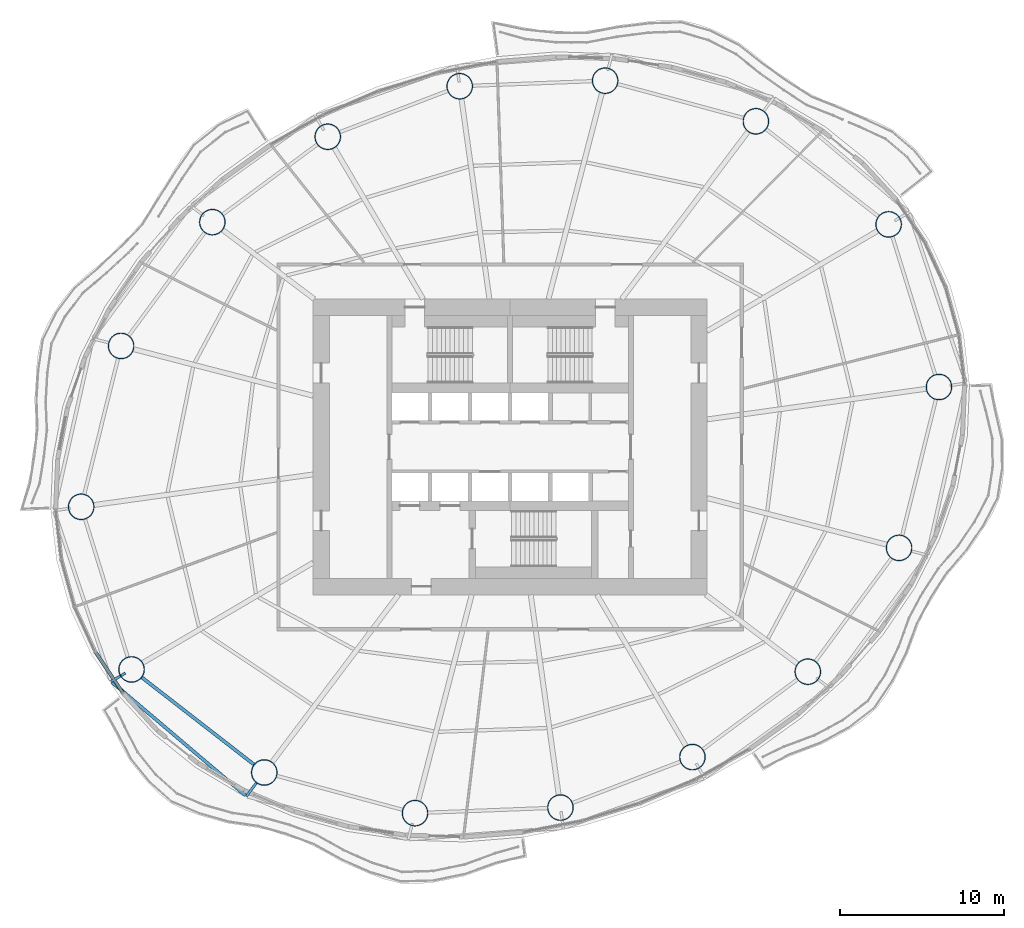
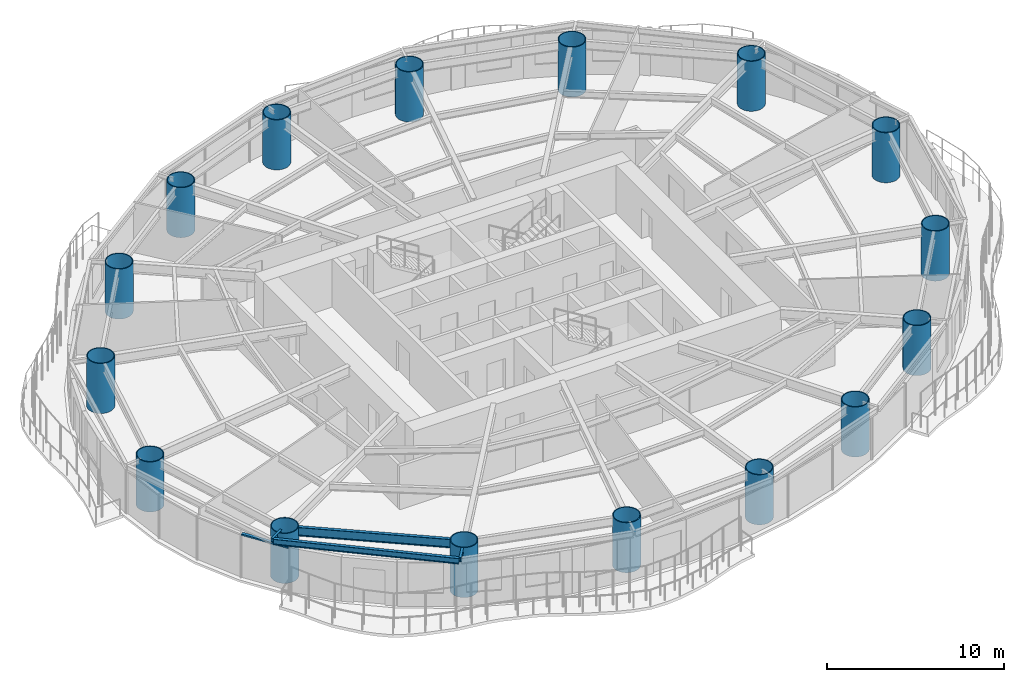
# One storey, part 1 of 16: 16 columns, 4 beams, 1 member, 1 element without a shape of its own.
"""IFC4 building model written with IfcOpenShell, lengths in metres."""

from ifc_helpers import new_model, si_unit, direction, frame, origin, origin_2d, place, context, subcontext, project, spatial, rectangle, hollow_circle, i_section, extrude, material, material_profile, profile_set, type_object, element, aggregate, save


model = new_model("IFC4")

# Units and contexts
model_context = context("Model", 3, precision=1e-05, world=origin(), true_north=direction((0.0, 1.0)))
body_context = subcontext(model_context, "Body", "Model", "MODEL_VIEW")
ifc_project = project(units=[si_unit("LENGTHUNIT", "METRE"), si_unit("AREAUNIT", "SQUARE_METRE"), si_unit("VOLUMEUNIT", "CUBIC_METRE"), si_unit("PLANEANGLEUNIT", "RADIAN"), si_unit("MASSUNIT", "GRAM", prefix="KILO")], contexts=[model_context])

# Site, building, storey
site_placement = place(None, origin())
site = spatial("IfcSite", under=ifc_project, at=site_placement, CompositionType="ELEMENT")
building_placement = place(site_placement, origin())
building = spatial("IfcBuilding", under=site, at=building_placement, Name="Vermilion Reach Broadcast Tower", CompositionType="ELEMENT")
storey_placement = place(building_placement, frame((0.0, 0.0, 113.800048828125)))
storey = spatial("IfcBuildingStorey", under=building, at=storey_placement, Name="L26", CompositionType="ELEMENT", Elevation=113.800048828125)

# Columns
ifc_material_1 = material(Name="Concrete C80 infill in steel S460NL tube", Category="concrete")
ifc_material_profile_1 = material_profile(ifc_material_1, hollow_circle(Radius=0.800048828125, WallThickness=0.054931640625, at=origin_2d()), Name="Concrete C80 infill in steel S460NL tube CFT 1600x55")
ifc_profile_set_1 = profile_set([ifc_material_profile_1], Name="Concrete C80 infill in steel S460NL tube")
column_type = type_object("IfcColumnType", Name="MC2 CFT 1600x55", PredefinedType="COLUMN", material=ifc_profile_set_1)
for number, where, z_axis, x_axis, name in (
    (1, (17.04345703125, 13.546630859375, 0.0), (0.0, 0.0, 1.0), (1.0, 0.0, 0.0), "Mega-column MC2-01"),
    (2, (8.96337890625, 19.821044921875, 0.0), (0.0, 0.0, 1.0), (1.0, 0.0, 0.0), "Mega-column MC2-02"),
    (3, (-0.21337890625, 22.29443359375, 0.0), (0.0, 0.0, 1.0), (1.0, 0.0, 0.0), "Mega-column MC2-03"),
    (4, (-9.066162109375, 21.955810546875, 0.0), (0.0, 0.0, 1.0), (1.0, 0.0, 0.0), "Mega-column MC2-04"),
    (5, (-17.099609375, 18.881103515625, 0.0), (0.0, 0.0, 1.0), (1.0, 0.0, 0.0), "Mega-column MC2-05"),
    (6, (-24.12451171875, 13.6826171875, 0.0), (0.0, 0.0, 1.0), (1.0, 0.0, 0.0), "Mega-column MC2-06"),
    (7, (-29.6787109375, 6.145751953125, 0.0), (0.0, 0.0, 1.0), (1.0, 0.0, 0.0), "Mega-column MC2-07"),
    (8, (-32.10888671875, -3.646240234375, 0.0), (0.0, 0.0, 1.0), (1.0, 0.0, 0.0), "Mega-column MC2-08"),
    (9, (-29.04345703125, -13.546630859375, 0.0), (0.0, 0.0, 1.0), (1.0, 0.0, 0.0), "Mega-column MC2-09"),
    (10, (-20.96337890625, -19.821044921875, 0.0), (0.0, 0.0, 1.0), (1.0, 0.0, 0.0), "Mega-column MC2-10"),
    (11, (-11.78662109375, -22.29443359375, 0.0), (0.0, 0.0, 1.0), (1.0, 0.0, 0.0), "Mega-column MC2-11"),
    (12, (-2.933837890625, -21.955810546875, 0.0), (0.0, 0.0, 1.0), (1.0, 0.0, 0.0), "Mega-column MC2-12"),
    (13, (5.099609375, -18.881103515625, 0.0), (0.0, 0.0, 1.0), (1.0, 0.0, 0.0), "Mega-column MC2-13"),
    (14, (12.12451171875, -13.6826171875, 0.0), (0.0, 0.0, 1.0), (1.0, 0.0, 0.0), "Mega-column MC2-14"),
    (15, (17.6787109375, -6.145751953125, 0.0), (0.0, 0.0, 1.0), (1.0, 0.0, 0.0), "Mega-column MC2-15"),
    (16, (20.10888671875, 3.646240234375, 0.0), (0.0, 0.0, 1.0), (1.0, 0.0, 0.0), "Mega-column MC2-16"),
):
    element("IfcColumn", number, at=place(storey_placement, frame(where, z_axis=z_axis, x_axis=x_axis)), inside=storey, type_object=column_type, Name=name, PredefinedType="COLUMN", context=body_context, shape_type="SweptSolid", body=[
        extrude(hollow_circle(Radius=0.800048828125, WallThickness=0.054931640625, at=origin_2d()), origin(), (0.0, 0.0, 1.0), 3.449951171875),
    ])

# Beams
ifc_material_2 = material(Name="Steel S355J2", Category="steel")
ifc_material_profile_2 = material_profile(ifc_material_2, i_section(OverallWidth=0.199951171875, OverallDepth=0.39990234375, WebThickness=0.008056640625, FlangeThickness=0.012939453125, at=origin_2d()), Name="S355J2 HN 400x200x8x13")
ifc_profile_set_2 = profile_set([ifc_material_profile_2], Name="Steel S355J2")
beam_type_1 = type_object("IfcBeamType", Name="EB2 HN 400x200x8x13", PredefinedType="BEAM", material=ifc_profile_set_2)
beam_1_placement = place(storey_placement, frame((-30.2265625, -14.3291015625, 3.25), z_axis=(0.762593135602, -0.646878434895, 0.0), x_axis=(0.646878434895, 0.762593135602, 0.0)))
element("IfcBeam", 17, at=beam_1_placement, inside=storey, type_object=beam_type_1, Name="Edge beam EB2-09", PredefinedType="BEAM", context=body_context, shape_type="SweptSolid", body=[
    extrude(i_section(OverallWidth=0.199951171875, OverallDepth=0.39990234375, WebThickness=0.008056640625, FlangeThickness=0.012939453125, at=origin_2d()), origin(), (0.0, 0.0, 1.0), 10.644287109375),
])
ifc_material_3 = material(Name="Steel S355J2", Category="steel")
ifc_material_profile_3 = material_profile(ifc_material_3, i_section(OverallWidth=0.14990234375, OverallDepth=0.300048828125, WebThickness=0.006591796875, FlangeThickness=0.009033203125, at=origin_2d()), Name="S355J2 HN 300x150x6.5x9")
ifc_profile_set_3 = profile_set([ifc_material_profile_3], Name="Steel S355J2")
beam_type_2 = type_object("IfcBeamType", Name="GS2 HN 300x150x6.5x9", PredefinedType="BEAM", material=ifc_profile_set_3)
beam_2_placement = place(storey_placement, frame((-29.425048828125, -13.77099609375, 3.300048828125), z_axis=(-0.862153821816, -0.506646610102, 0.0), x_axis=(0.506646610102, -0.862153821816, 0.0)))
element("IfcBeam", 18, at=beam_2_placement, inside=storey, type_object=beam_type_2, Name="Cantilever stub GS2-09", PredefinedType="BEAM", context=body_context, shape_type="SweptSolid", body=[
    extrude(i_section(OverallWidth=0.14990234375, OverallDepth=0.300048828125, WebThickness=0.006591796875, FlangeThickness=0.009033203125, at=origin_2d()), origin(), (0.0, 0.0, 1.0), 1.0),
])
beam_3_placement = place(storey_placement, frame((-21.4453125, -20.45947265625, 3.300048828125), z_axis=(-0.602479763852, -0.798134157989, 0.0), x_axis=(0.798134157989, -0.602479763852, 0.0)))
element("IfcBeam", 19, at=beam_3_placement, inside=storey, type_object=beam_type_2, Name="Cantilever stub GS2-10", PredefinedType="BEAM", context=body_context, shape_type="SweptSolid", body=[
    extrude(i_section(OverallWidth=0.14990234375, OverallDepth=0.300048828125, WebThickness=0.006591796875, FlangeThickness=0.009033203125, at=origin_2d()), origin(), (0.0, 0.0, 1.0), 1.007080078125),
])
ifc_material_4 = material(Name="Steel S355J2", Category="steel")
ifc_material_profile_4 = material_profile(ifc_material_4, i_section(OverallWidth=0.199951171875, OverallDepth=0.60009765625, WebThickness=0.010986328125, FlangeThickness=0.01708984375, at=origin_2d()), Name="S355J2 HN 600x200x11x17")
ifc_profile_set_4 = profile_set([ifc_material_profile_4], Name="Steel S355J2")
beam_type_3 = type_object("IfcBeamType", Name="RB2 HN 600x200x11x17", PredefinedType="BEAM", material=ifc_profile_set_4)
beam_4_placement = place(storey_placement, frame((-28.41162109375, -14.037109375, 3.14990234375), z_axis=(0.789825712432, -0.613331349257, 0.0), x_axis=(0.613331349257, 0.789825712432, 0.0)))
element("IfcBeam", 20, at=beam_4_placement, inside=storey, type_object=beam_type_3, Name="Ring beam RB2-09", PredefinedType="BEAM", context=body_context, shape_type="SweptSolid", body=[
    extrude(i_section(OverallWidth=0.199951171875, OverallDepth=0.60009765625, WebThickness=0.010986328125, FlangeThickness=0.01708984375, at=origin_2d()), origin(), (0.0, 0.0, 1.0), 8.63037109375),
])

# Curtain wall, member
ifc_material_5 = material(Name="Low-e laminated clear glass in aluminium frame", Category="aluminium")
curtain_wall_type = type_object("IfcCurtainWallType", Name="Slot curtain wall", PredefinedType="NOTDEFINED", material=ifc_material_5)
curtain_wall_placement = place(storey_placement, origin())
curtain_wall = element("IfcCurtainWall", 21, at=curtain_wall_placement, inside=storey, type_object=curtain_wall_type, Name="Slot curtain wall L26 25", PredefinedType="NOTDEFINED")
ifc_material_6 = material(Name="Anodised aluminium", Category="aluminium")
ifc_material_profile_5 = material_profile(ifc_material_6, rectangle(XDim=0.199951171875, YDim=0.10009765625, at=origin_2d()), Name="Slot transom 200 x 100")
ifc_profile_set_5 = profile_set([ifc_material_profile_5], Name="Anodised aluminium")
member_type = type_object("IfcMemberType", Name="Slot transom 200 x 100", PredefinedType="USERDEFINED", material=ifc_profile_set_5)
member_placement = place(storey_placement, frame((-31.2265625, -12.504150390625, 3.0), z_axis=(0.556392755489, -0.830919431497, 0.0), x_axis=(0.830919431497, 0.556392755489, 0.0)))
member = element("IfcMember", 22, at=member_placement, type_object=member_type, Name="Slot transom L26 25.1", ObjectType="TRANSOM", PredefinedType="USERDEFINED", context=body_context, shape_type="SweptSolid", body=[
    extrude(rectangle(XDim=0.199951171875, YDim=0.10009765625, at=origin_2d()), origin(), (0.0, 0.0, 1.0), 2.96044921875),
])
aggregate(curtain_wall, [member])

save(model, "model.ifc")
